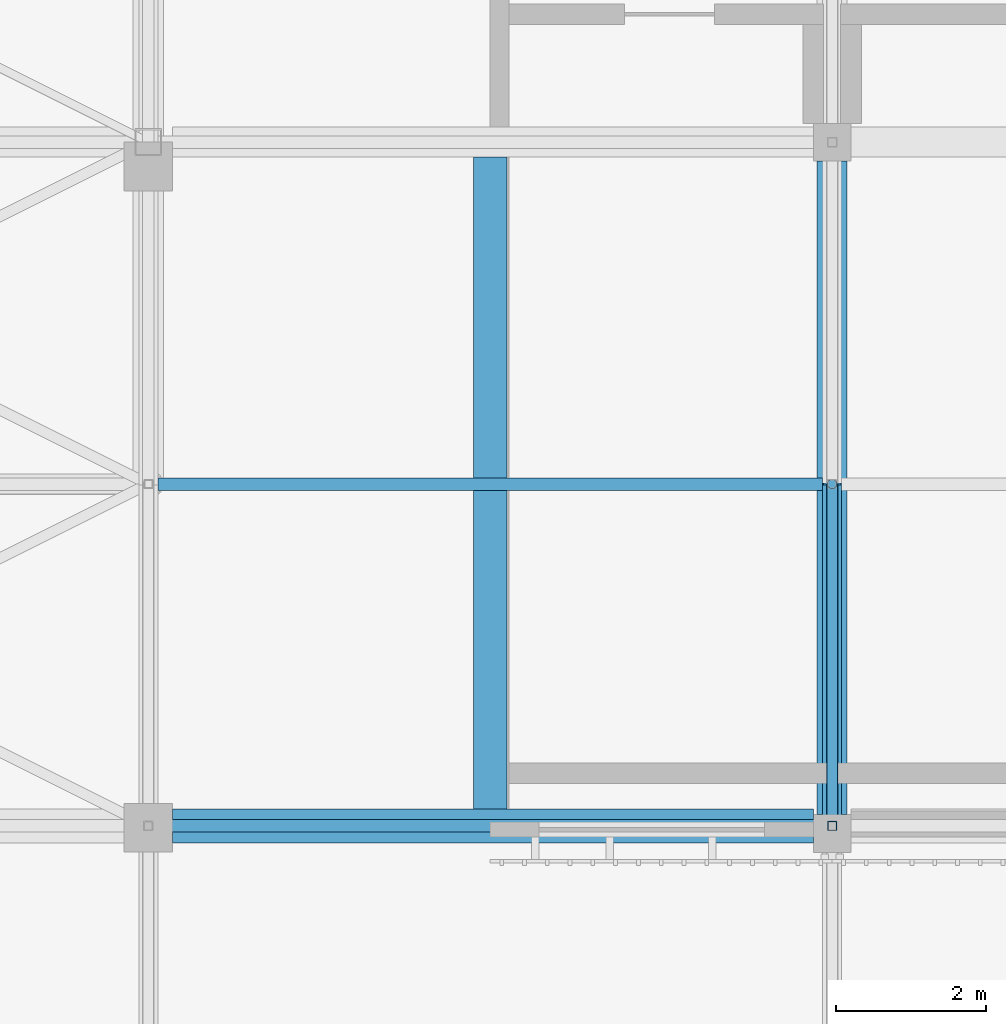
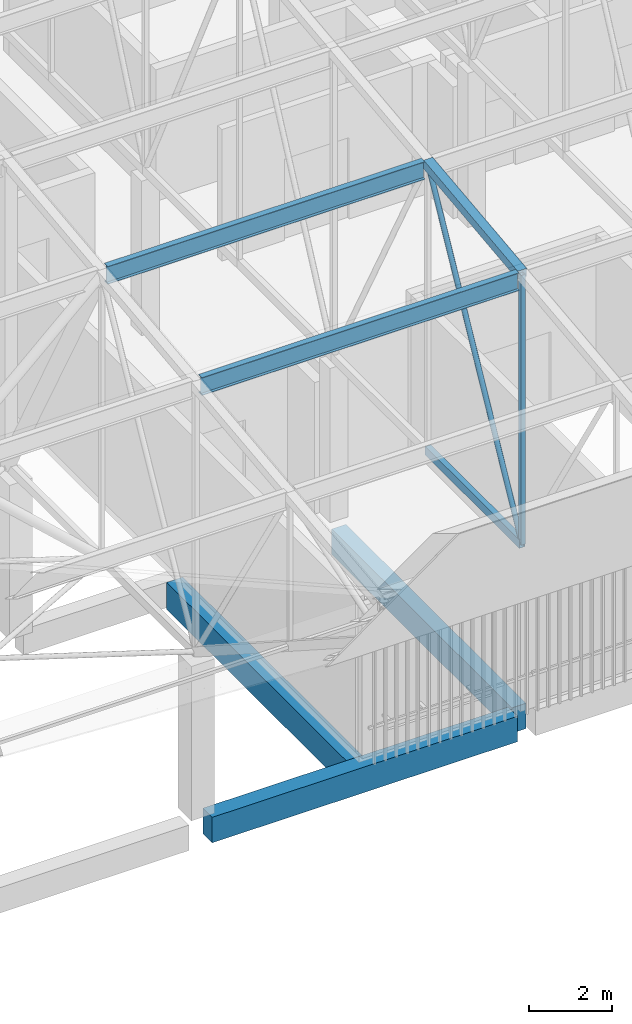
# One storey, part 115 of 500: 6 members, 3 beams.
"""IFC4 building model written with IfcOpenShell, lengths in metres."""

from ifc_helpers import new_model, si_unit, direction, frame, origin, origin_2d, place, context, subcontext, project, spatial, rectangle, hollow_rectangle, hollow_circle, i_section, extrude, material, material_profile, profile_set, type_object, element, save


model = new_model("IFC4")

# Units and contexts
model_context = context("Model", 3, precision=1e-05, world=origin(), true_north=direction((0.0, 1.0)))
body_context = subcontext(model_context, "Body", "Model", "MODEL_VIEW")
ifc_project = project(units=[si_unit("LENGTHUNIT", "METRE"), si_unit("AREAUNIT", "SQUARE_METRE"), si_unit("VOLUMEUNIT", "CUBIC_METRE"), si_unit("PLANEANGLEUNIT", "RADIAN"), si_unit("MASSUNIT", "GRAM", prefix="KILO")], contexts=[model_context])

# Site, building, storey
site_placement = place(None, origin())
site = spatial("IfcSite", under=ifc_project, at=site_placement, CompositionType="ELEMENT")
building_placement = place(site_placement, origin())
building = spatial("IfcBuilding", under=site, at=building_placement, Name="Shirokan Park Arena", CompositionType="ELEMENT")
storey_placement = place(building_placement, frame((0.0, 0.0, 29.1201171875)))
storey = spatial("IfcBuildingStorey", under=building, at=storey_placement, Name="L06", CompositionType="ELEMENT", Elevation=29.1201171875)

# Members
ifc_material_1 = material(Name="Steel ASTM A500 Grade C", Category="steel")
ifc_material_profile_1 = material_profile(ifc_material_1, hollow_rectangle(XDim=0.152099609375, YDim=0.25390625, WallThickness=0.009521484375, at=origin_2d()), Name="HSS254X152.4X9.5")
ifc_profile_set_1 = profile_set([ifc_material_profile_1], Name="Steel ASTM A500 Grade C")
member_type_1 = type_object("IfcMemberType", Name="Bottom chord HSS254X152.4X9.5", PredefinedType="CHORD", material=ifc_profile_set_1)
member_1_placement = place(storey_placement, frame((109.199951171875, 0.0, 4.677001953125), z_axis=(0.0, 1.0, 0.0), x_axis=(-1.0, 0.0, 0.0)))
element("IfcMember", 1, at=member_1_placement, inside=storey, type_object=member_type_1, Name="Truss T13 bottom chord 3", PredefinedType="CHORD", context=body_context, shape_type="SweptSolid", body=[
    extrude(hollow_rectangle(XDim=0.152099609375, YDim=0.25390625, WallThickness=0.009521484375, at=origin_2d()), origin(), (0.0, 0.0, 1.0), 4.550048828125),
])
ifc_material_2 = material(Name="Steel ASTM A992", Category="steel")
ifc_material_profile_2 = material_profile(ifc_material_2, i_section(OverallWidth=0.166015625, OverallDepth=0.528076171875, WebThickness=0.009765625, FlangeThickness=0.013671875, at=origin_2d()), Name="W530X74")
ifc_profile_set_2 = profile_set([ifc_material_profile_2], Name="Steel ASTM A992")
member_type_2 = type_object("IfcMemberType", Name="Purlin W530X74", PredefinedType="PURLIN", material=ifc_profile_set_2)
for number, where, z_axis, x_axis, name in (
    (2, (100.22705078125, 0.0, 12.48583984375), (1.0, 0.0, 0.0), (0.0, 1.0, 0.0), "Purlin 3 bay 12"),
    (3, (100.22705078125, 4.550048828125, 13.005859375), (1.0, 0.0, 0.0), (0.0, 1.0, 0.0), "Purlin 4 bay 12"),
):
    element("IfcMember", number, at=place(storey_placement, frame(where, z_axis=z_axis, x_axis=x_axis)), inside=storey, type_object=member_type_2, Name=name, PredefinedType="PURLIN", context=body_context, shape_type="SweptSolid", body=[
        extrude(i_section(OverallWidth=0.166015625, OverallDepth=0.528076171875, WebThickness=0.009765625, FlangeThickness=0.013671875, at=origin_2d()), origin(), (0.0, 0.0, 1.0), 8.845947265625),
    ])

# Beams
ifc_material_3 = material(Name="Concrete C35", Category="concrete")
ifc_material_profile_3 = material_profile(ifc_material_3, rectangle(XDim=0.449951171875, YDim=0.800048828125, at=origin_2d()), Name="450x800")
ifc_profile_set_3 = profile_set([ifc_material_profile_3], Name="Concrete C35")
beam_type_1 = type_object("IfcBeamType", Name="RC edge beam 450x800", PredefinedType="BEAM", material=ifc_profile_set_3)
beam_1_placement = place(storey_placement, frame((104.64990234375, 0.22509765625, -0.60009765625), z_axis=(0.0, 1.0, 0.0), x_axis=(-1.0, 0.0, 0.0)))
element("IfcBeam", 4, at=beam_1_placement, inside=storey, type_object=beam_type_1, Name="Edge beam L06 L06-22", PredefinedType="BEAM", context=body_context, shape_type="SweptSolid", body=[
    extrude(rectangle(XDim=0.449951171875, YDim=0.800048828125, at=origin_2d()), origin(), (0.0, 0.0, 1.0), 8.6748046875),
])
ifc_material_profile_4 = material_profile(ifc_material_3, rectangle(XDim=0.39990234375, YDim=0.75, at=origin_2d()), Name="400x750")
ifc_profile_set_4 = profile_set([ifc_material_profile_4], Name="Concrete C35")
beam_type_2 = type_object("IfcBeamType", Name="RC girder 400x750", PredefinedType="BEAM", material=ifc_profile_set_4)
beam_2_placement = place(storey_placement, frame((109.199951171875, 0.150146484375, -0.5751953125), z_axis=(0.0, 1.0, 0.0), x_axis=(-1.0, 0.0, 0.0)))
element("IfcBeam", 5, at=beam_2_placement, inside=storey, type_object=beam_type_2, Name="Girder 13A-13B L06", PredefinedType="BEAM", context=body_context, shape_type="SweptSolid", body=[
    extrude(rectangle(XDim=0.39990234375, YDim=0.75, at=origin_2d()), origin(), (0.0, 0.0, 1.0), 8.69970703125),
])
ifc_material_profile_5 = material_profile(ifc_material_3, rectangle(XDim=0.449951171875, YDim=0.75, at=origin_2d()), Name="450x750")
ifc_profile_set_5 = profile_set([ifc_material_profile_5], Name="Concrete C35")
beam_type_3 = type_object("IfcBeamType", Name="RC girder 450x750", PredefinedType="BEAM", material=ifc_profile_set_5)
beam_3_placement = place(storey_placement, frame((100.425048828125, 0.0, -0.5751953125), z_axis=(1.0, 0.0, 0.0), x_axis=(0.0, 1.0, 0.0)))
element("IfcBeam", 6, at=beam_3_placement, inside=storey, type_object=beam_type_3, Name="Girder 12A-13A L06", PredefinedType="BEAM", context=body_context, shape_type="SweptSolid", body=[
    extrude(rectangle(XDim=0.449951171875, YDim=0.75, at=origin_2d()), origin(), (0.0, 0.0, 1.0), 8.52490234375),
])

# Members
ifc_material_profile_6 = material_profile(ifc_material_1, hollow_rectangle(XDim=0.25390625, YDim=0.25390625, WallThickness=0.009521484375, at=origin_2d()), Name="HSS254X254X9.5")
ifc_profile_set_6 = profile_set([ifc_material_profile_6], Name="Steel ASTM A500 Grade C")
member_type_3 = type_object("IfcMemberType", Name="Top chord HSS254X254X9.5", PredefinedType="CHORD", material=ifc_profile_set_6)
member_2_placement = place(storey_placement, frame((109.199951171875, 0.0, 12.622802734375), z_axis=(0.0, 0.993532328996, 0.113549598152), x_axis=(-1.0, 0.0, 0.0)))
element("IfcMember", 7, at=member_2_placement, inside=storey, type_object=member_type_3, Name="Truss T13 top chord 3", PredefinedType="CHORD", context=body_context, shape_type="SweptSolid", body=[
    extrude(hollow_rectangle(XDim=0.25390625, YDim=0.25390625, WallThickness=0.009521484375, at=origin_2d()), origin(), (0.0, 0.0, 1.0), 4.57958984375),
])
ifc_material_profile_7 = material_profile(ifc_material_1, hollow_circle(Radius=0.070556640625, WallThickness=0.006591796875, at=origin_2d()), Name="HSS141.3X6.6")
ifc_profile_set_7 = profile_set([ifc_material_profile_7], Name="Steel ASTM A500 Grade C")
member_type_4 = type_object("IfcMemberType", Name="Truss diagonal HSS141.3X6.6", PredefinedType="BRACE", material=ifc_profile_set_7)
member_3_placement = place(storey_placement, frame((109.199951171875, 0.0, 4.677001953125), z_axis=(0.0, 0.473416507165, 0.880838697347), x_axis=(-1.0, 0.0, 0.0)))
element("IfcMember", 8, at=member_3_placement, inside=storey, type_object=member_type_4, Name="Truss T13 diagonal 3", PredefinedType="BRACE", context=body_context, shape_type="SweptSolid", body=[
    extrude(hollow_circle(Radius=0.070556640625, WallThickness=0.006591796875, at=origin_2d()), origin(), (0.0, 0.0, 1.0), 9.611083984375),
])
ifc_material_profile_8 = material_profile(ifc_material_1, hollow_rectangle(XDim=0.126953125, YDim=0.126953125, WallThickness=0.0126953125, at=origin_2d()), Name="HSS127X127X12.7")
ifc_profile_set_8 = profile_set([ifc_material_profile_8], Name="Steel ASTM A500 Grade C")
member_type_5 = type_object("IfcMemberType", Name="Truss post HSS127X127X12.7", PredefinedType="POST", material=ifc_profile_set_8)
member_4_placement = place(storey_placement, frame((109.199951171875, 0.0, 4.677001953125), z_axis=(0.0, 0.0, 1.0), x_axis=(1.0, 0.0, 0.0)))
element("IfcMember", 9, at=member_4_placement, inside=storey, type_object=member_type_5, Name="Truss T13 post 3", PredefinedType="POST", context=body_context, shape_type="SweptSolid", body=[
    extrude(hollow_rectangle(XDim=0.126953125, YDim=0.126953125, WallThickness=0.0126953125, at=origin_2d()), origin(), (0.0, 0.0, 1.0), 7.94580078125),
])

save(model, "model.ifc")
